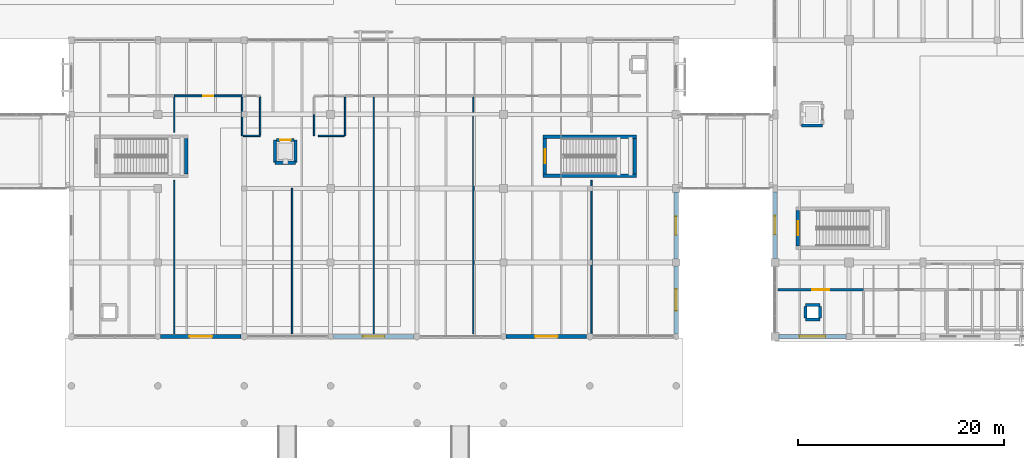
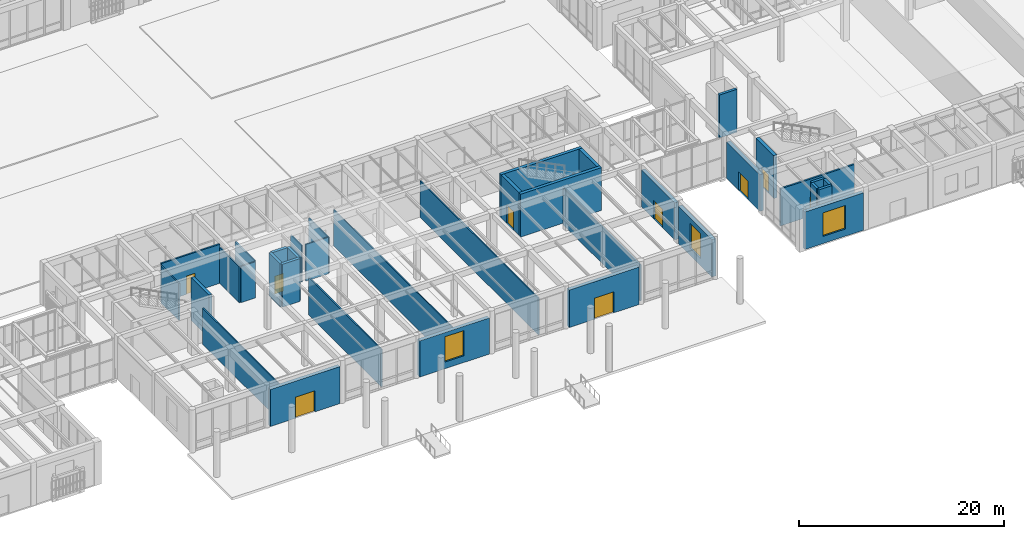
# One storey, part 123 of 169: 36 walls, 9 doors, 3 windows, 12 openings.
"""IFC4 building model written with IfcOpenShell, lengths in metres."""

from ifc_helpers import new_model, si_unit, direction, frame, frame_2d, origin, place, context, subcontext, project, spatial, rectangle, extrude, material, layer, layer_set, type_object, element, fill, save


model = new_model("IFC4")

# Units and contexts
model_context = context("Model", 3, precision=1e-05, world=origin(), true_north=direction((0.0, 1.0)))
body_context = subcontext(model_context, "Body", "Model", "MODEL_VIEW")
ifc_project = project(units=[si_unit("LENGTHUNIT", "METRE"), si_unit("AREAUNIT", "SQUARE_METRE"), si_unit("VOLUMEUNIT", "CUBIC_METRE"), si_unit("PLANEANGLEUNIT", "RADIAN"), si_unit("MASSUNIT", "GRAM", prefix="KILO")], contexts=[model_context])

# Site, building, storey
site_placement = place(None, origin())
site = spatial("IfcSite", under=ifc_project, at=site_placement, CompositionType="ELEMENT")
building_placement = place(site_placement, origin())
building = spatial("IfcBuilding", under=site, at=building_placement, Name="Mazaris Harbour Polytechnic", CompositionType="ELEMENT")
storey_placement = place(building_placement, origin())
storey = spatial("IfcBuildingStorey", under=building, at=storey_placement, Name="L00", CompositionType="ELEMENT", Elevation=0.0)

# Walls
ifc_material_1 = material(Name="Gypsum Board and Mineral Wool")
ifc_layer_1 = layer(ifc_material_1, 0.1201171875, Name="Gypsum Board and Mineral Wool")
ifc_layer_set_1 = layer_set([ifc_layer_1], Name="Gypsum Board and Mineral Wool")
wall_type_1 = type_object("IfcWallType", Name="Acoustic Stud Partition 120", PredefinedType="PARTITIONING", material=ifc_layer_set_1)
wall_1_placement = place(storey_placement, frame((83.39990234375, 7.449951171875, 0.0), z_axis=(0.0, 0.0, 1.0), x_axis=(0.0, 1.0, 0.0)))
element("IfcWall", 1, at=wall_1_placement, inside=storey, type_object=wall_type_1, Name="V3 L00 Partition 202", PredefinedType="PARTITIONING", context=body_context, shape_type="SweptSolid", body=[
    extrude(rectangle(XDim=23.030029296875, YDim=0.1201171875, at=frame_2d((11.51513671875, 0.0))), origin(), (0.0, 0.0, 1.0), 4.300048828125),
])
ifc_material_2 = material(Name="Double Gypsum and Mineral Wool")
ifc_layer_2 = layer(ifc_material_2, 0.14990234375, Name="Double Gypsum and Mineral Wool")
ifc_layer_set_2 = layer_set([ifc_layer_2], Name="Double Gypsum and Mineral Wool")
wall_type_2 = type_object("IfcWallType", Name="Classroom Acoustic Partition 150", PredefinedType="PARTITIONING", material=ifc_layer_set_2)
wall_2_placement = place(storey_placement, frame((75.448974609375, 7.449951171875, 0.0), z_axis=(0.0, 0.0, 1.0), x_axis=(0.0, 1.0, 0.0)))
element("IfcWall", 2, at=wall_2_placement, inside=storey, type_object=wall_type_2, Name="V3 L00 Partition 200", PredefinedType="PARTITIONING", context=body_context, shape_type="SweptSolid", body=[
    extrude(rectangle(XDim=14.14501953125, YDim=0.14990234375, at=frame_2d((7.072509765625, 0.0))), origin(), (0.0, 0.0, 1.0), 4.449951171875),
])
wall_3_placement = place(storey_placement, frame((104.549072265625, 7.449951171875, 0.0), z_axis=(0.0, 0.0, 1.0), x_axis=(0.0, 1.0, 0.0)))
element("IfcWall", 3, at=wall_3_placement, inside=storey, type_object=wall_type_2, Name="V3 L00 Partition 206", PredefinedType="PARTITIONING", context=body_context, shape_type="SweptSolid", body=[
    extrude(rectangle(XDim=14.945068359375, YDim=0.14990234375, at=frame_2d((7.47265625, 0.0))), origin(), (0.0, 0.0, 1.0), 4.300048828125),
])

# Wall, opening, door
ifc_material_3 = material(Name="Terracotta Block and Plaster", Category="masonry")
ifc_layer_3 = layer(ifc_material_3, 0.179931640625, Name="Terracotta Block and Plaster")
ifc_layer_set_3 = layer_set([ifc_layer_3], Name="Terracotta Block and Plaster")
wall_type_3 = type_object("IfcWallType", Name="Corridor Fire Partition 180", PredefinedType="PARTITIONING", material=ifc_layer_set_3)
wall_4_placement = place(storey_placement, frame((64.0048828125, 30.60009765625, 0.0), z_axis=(0.0, 0.0, 1.0), x_axis=(1.0, 0.0, 0.0)))
wall_4 = element("IfcWall", 4, at=wall_4_placement, inside=storey, type_object=wall_type_3, Name="V3 L00 Partition 198", PredefinedType="PARTITIONING", context=body_context, shape_type="SweptSolid", body=[
    extrude(rectangle(XDim=6.590087890625, YDim=0.179931640625, at=frame_2d((3.294921875, 0.0))), origin(), (0.0, 0.0, 1.0), 4.64990234375),
])
opening_1_placement = place(wall_4_placement, frame((2.804931640625, 0.0, 0.0)))
opening_1 = element("IfcOpeningElement", 5, at=opening_1_placement, cuts=wall_4, Name="Opening ID-08L", PredefinedType="OPENING", context=body_context, shape_type="SweptSolid", body=[
    extrude(rectangle(XDim=0.97998046875, YDim=2.179931640625, at=frame_2d((0.489990234375, 1.08984375))), frame((0.0, 0.099853515625, 0.0), z_axis=(0.0, -1.0, 0.0), x_axis=(1.0, 0.0, 0.0)), (0.0, 0.0, 1.0), 0.199951171875),
])
ifc_material_4 = material(Name="Solid Oak Timber", Category="wood")
door_type_1 = type_object("IfcDoorType", Name="Seminar Room Door LH 980x2180", OperationType="SINGLE_SWING_LEFT", PredefinedType="DOOR", material=ifc_material_4)
door_1_placement = place(opening_1_placement, origin())
door_1 = element("IfcDoor", 6, at=door_1_placement, inside=storey, type_object=door_type_1, Name="ID-0091", OperationType="SINGLE_SWING_LEFT", OverallHeight=2.179931640625, OverallWidth=0.97998046875, PredefinedType="DOOR", context=body_context, shape_type="SweptSolid", body=[
    extrude(rectangle(XDim=0.97998046875, YDim=2.179931640625, at=frame_2d((0.489990234375, 1.08984375))), frame((0.0, 0.02490234375, 0.0), z_axis=(0.0, -1.0, 0.0), x_axis=(1.0, 0.0, 0.0)), (0.0, 0.0, 1.0), 0.050048828125),
])
fill(opening_1, door_1)

ifc_material_5 = material(Name="High-Density Masonry and Mineral Wool", Category="masonry")
ifc_layer_4 = layer(ifc_material_5, 0.195068359375, Name="High-Density Masonry and Mineral Wool")
ifc_layer_set_4 = layer_set([ifc_layer_4], Name="High-Density Masonry and Mineral Wool")
wall_type_4 = type_object("IfcWallType", Name="Lecture Theatre Acoustic Wall 195", PredefinedType="PARTITIONING", material=ifc_layer_set_4)
wall_5_placement = place(storey_placement, frame((122.699951171875, 11.75, 0.0), z_axis=(0.0, 0.0, 1.0), x_axis=(1.0, 0.0, 0.0)))
wall_5 = element("IfcWall", 7, at=wall_5_placement, inside=storey, type_object=wall_type_4, Name="V2 L00 Partition 103", PredefinedType="PARTITIONING", context=body_context, shape_type="SweptSolid", body=[
    extrude(rectangle(XDim=8.300048828125, YDim=0.195068359375, at=frame_2d((4.14990234375, 0.0))), origin(), (0.0, 0.0, 1.0), 4.39990234375),
])
opening_2_placement = place(wall_5_placement, frame((3.300048828125, 0.0, 0.0)))
opening_2 = element("IfcOpeningElement", 8, at=opening_2_placement, cuts=wall_5, Name="Opening ID-04D", PredefinedType="OPENING", context=body_context, shape_type="SweptSolid", body=[
    extrude(rectangle(XDim=1.699951171875, YDim=2.25, at=frame_2d((0.85009765625, 1.125))), frame((0.0, 0.107421875, 0.0), z_axis=(0.0, -1.0, 0.0), x_axis=(1.0, 0.0, 0.0)), (0.0, 0.0, 1.0), 0.215087890625),
])
ifc_material_6 = material(Name="Acoustic Oak Timber", Category="wood")
door_type_2 = type_object("IfcDoorType", Name="Lecture Theatre Acoustic Double Door 1700x2250", OperationType="DOUBLE_DOOR_SINGLE_SWING", PredefinedType="DOOR", material=ifc_material_6)
door_2_placement = place(opening_2_placement, origin())
door_2 = element("IfcDoor", 9, at=door_2_placement, inside=storey, type_object=door_type_2, Name="ID-0047", OperationType="DOUBLE_DOOR_SINGLE_SWING", OverallHeight=2.25, OverallWidth=1.699951171875, PredefinedType="DOOR", context=body_context, shape_type="SweptSolid", body=[
    extrude(rectangle(XDim=1.699951171875, YDim=2.25, at=frame_2d((0.85009765625, 1.125))), frame((0.0, 0.02490234375, 0.0), z_axis=(0.0, -1.0, 0.0), x_axis=(1.0, 0.0, 0.0)), (0.0, 0.0, 1.0), 0.050048828125),
])
fill(opening_2, door_2)

# Wall, opening, window
ifc_material_7 = material(Name="Algerian Buff Limestone and Concrete C35/45", Category="masonry")
ifc_layer_5 = layer(ifc_material_7, 0.409912109375, Name="Algerian Buff Limestone and Concrete C35/45")
ifc_layer_set_5 = layer_set([ifc_layer_5], Name="Algerian Buff Limestone and Concrete C35/45")
wall_type_5 = type_object("IfcWallType", Name="Limestone Rusticated Base Wall 410", PredefinedType="STANDARD", material=ifc_layer_set_5)
wall_6_placement = place(storey_placement, frame((129.3330078125, 7.199951171875, 0.0), z_axis=(0.0, 0.0, 1.0), x_axis=(-1.0, 0.0, 0.0)))
wall_6 = element("IfcWall", 10, at=wall_6_placement, inside=storey, type_object=wall_type_5, Name="V2 L00 Exterior Wall 35", PredefinedType="STANDARD", context=body_context, shape_type="SweptSolid", body=[
    extrude(rectangle(XDim=6.56591796875, YDim=0.409912109375, at=frame_2d((3.282958984375, 0.0))), origin(), (0.0, 0.0, 1.0), 4.449951171875),
])
opening_3_placement = place(wall_6_placement, frame((2.032958984375, 0.0, 0.85009765625)))
opening_3 = element("IfcOpeningElement", 11, at=opening_3_placement, cuts=wall_6, Name="Opening WN-18", PredefinedType="OPENING", context=body_context, shape_type="SweptSolid", body=[
    extrude(rectangle(XDim=2.5, YDim=2.800048828125, at=frame_2d((1.25, 1.39990234375))), frame((0.0, 0.21484375, 0.0), z_axis=(0.0, -1.0, 0.0), x_axis=(1.0, 0.0, 0.0)), (0.0, 0.0, 1.0), 0.429931640625),
])
ifc_material_8 = material(Name="Thermally Broken Bronze Aluminium and Low-E Glass", Category="aluminium")
window_type_1 = type_object("IfcWindowType", Name="Pavilion Foyer Window 2500x2800", PartitioningType="DOUBLE_PANEL_VERTICAL", PredefinedType="WINDOW", material=ifc_material_8)
window_1_placement = place(opening_3_placement, origin())
window_1 = element("IfcWindow", 12, at=window_1_placement, inside=storey, type_object=window_type_1, Name="WN-0025", OverallHeight=2.800048828125, OverallWidth=2.5, PartitioningType="DOUBLE_PANEL_VERTICAL", PredefinedType="WINDOW", context=body_context, shape_type="SweptSolid", body=[
    extrude(rectangle(XDim=2.5, YDim=2.800048828125, at=frame_2d((1.25, 1.39990234375))), frame((0.0, 0.030029296875, 0.0), z_axis=(0.0, -1.0, 0.0), x_axis=(1.0, 0.0, 0.0)), (0.0, 0.0, 1.0), 0.06005859375),
])
fill(opening_3, window_1)

# Wall, opening, door
wall_7_placement = place(storey_placement, frame((122.39990234375, 14.7919921875, 0.0), z_axis=(0.0, 0.0, 1.0), x_axis=(0.0, 1.0, 0.0)))
wall_7 = element("IfcWall", 13, at=wall_7_placement, inside=storey, type_object=wall_type_5, Name="V2 L00 Exterior Wall 44", PredefinedType="STANDARD", context=body_context, shape_type="SweptSolid", body=[
    extrude(rectangle(XDim=6.466064453125, YDim=0.409912109375, at=frame_2d((3.23291015625, 0.0))), origin(), (0.0, 0.0, 1.0), 4.35009765625),
])
opening_4_placement = place(wall_7_placement, frame((2.3330078125, 0.0, 0.0)))
opening_4 = element("IfcOpeningElement", 14, at=opening_4_placement, cuts=wall_7, Name="Opening ED-03", PredefinedType="OPENING", context=body_context, shape_type="SweptSolid", body=[
    extrude(rectangle(XDim=1.800048828125, YDim=2.199951171875, at=frame_2d((0.89990234375, 1.10009765625))), frame((0.0, 0.21484375, 0.0), z_axis=(0.0, -1.0, 0.0), x_axis=(1.0, 0.0, 0.0)), (0.0, 0.0, 1.0), 0.429931640625),
])
ifc_material_9 = material(Name="Anodised Bronze Steel and Laminated Safety Glass", Category="steel")
door_type_3 = type_object("IfcDoorType", Name="Perimeter Final Exit Door 1800x2200", OperationType="DOUBLE_DOOR_SINGLE_SWING", PredefinedType="DOOR", material=ifc_material_9)
door_3_placement = place(opening_4_placement, origin())
door_3 = element("IfcDoor", 15, at=door_3_placement, inside=storey, type_object=door_type_3, Name="EXD-010", OperationType="DOUBLE_DOOR_SINGLE_SWING", OverallHeight=2.199951171875, OverallWidth=1.800048828125, PredefinedType="DOOR", context=body_context, shape_type="SweptSolid", body=[
    extrude(rectangle(XDim=1.800048828125, YDim=2.199951171875, at=frame_2d((0.89990234375, 1.10009765625))), frame((0.0, 0.02490234375, 0.0), z_axis=(0.0, -1.0, 0.0), x_axis=(1.0, 0.0, 0.0)), (0.0, 0.0, 1.0), 0.050048828125),
])
fill(opening_4, door_3)

wall_8_placement = place(storey_placement, frame((70.48291015625, 7.199951171875, 0.0), z_axis=(0.0, 0.0, 1.0), x_axis=(-1.0, 0.0, 0.0)))
wall_8 = element("IfcWall", 16, at=wall_8_placement, inside=storey, type_object=wall_type_5, Name="V3 L00 Exterior Wall 96", PredefinedType="STANDARD", context=body_context, shape_type="SweptSolid", body=[
    extrude(rectangle(XDim=7.81591796875, YDim=0.409912109375, at=frame_2d((3.907958984375, 0.0))), origin(), (0.0, 0.0, 1.0), 4.39990234375),
])
opening_5_placement = place(wall_8_placement, frame((2.80810546875, 0.0, 0.0)))
opening_5 = element("IfcOpeningElement", 17, at=opening_5_placement, cuts=wall_8, Name="Opening ED-01", PredefinedType="OPENING", context=body_context, shape_type="SweptSolid", body=[
    extrude(rectangle(XDim=2.199951171875, YDim=2.5, at=frame_2d((1.10009765625, 1.25))), frame((0.0, 0.21484375, 0.0), z_axis=(0.0, -1.0, 0.0), x_axis=(1.0, 0.0, 0.0)), (0.0, 0.0, 1.0), 0.429931640625),
])
ifc_material_10 = material(Name="Anodised Bronze Steel and Laminated Safety Glass", Category="steel")
door_type_4 = type_object("IfcDoorType", Name="Main Harbour Double Entrance Door 2200x2500", OperationType="DOUBLE_DOOR_SINGLE_SWING", PredefinedType="DOOR", material=ifc_material_10)
door_4_placement = place(opening_5_placement, origin())
door_4 = element("IfcDoor", 18, at=door_4_placement, inside=storey, type_object=door_type_4, Name="EXD-014", OperationType="DOUBLE_DOOR_SINGLE_SWING", OverallHeight=2.5, OverallWidth=2.199951171875, PredefinedType="DOOR", context=body_context, shape_type="SweptSolid", body=[
    extrude(rectangle(XDim=2.199951171875, YDim=2.5, at=frame_2d((1.10009765625, 1.25))), frame((0.0, 0.02490234375, 0.0), z_axis=(0.0, -1.0, 0.0), x_axis=(1.0, 0.0, 0.0)), (0.0, 0.0, 1.0), 0.050048828125),
])
fill(opening_5, door_4)

# Wall, opening, window
wall_9_placement = place(storey_placement, frame((87.282958984375, 7.199951171875, 0.0), z_axis=(0.0, 0.0, 1.0), x_axis=(-1.0, 0.0, 0.0)))
wall_9 = element("IfcWall", 19, at=wall_9_placement, inside=storey, type_object=wall_type_5, Name="V3 L00 Exterior Wall 97", PredefinedType="STANDARD", context=body_context, shape_type="SweptSolid", body=[
    extrude(rectangle(XDim=7.81591796875, YDim=0.409912109375, at=frame_2d((3.907958984375, 0.0))), origin(), (0.0, 0.0, 1.0), 4.300048828125),
])
opening_6_placement = place(wall_9_placement, frame((2.85791015625, 0.0, 0.800048828125)))
opening_6 = element("IfcOpeningElement", 20, at=opening_6_placement, cuts=wall_9, Name="Opening WN-05", PredefinedType="OPENING", context=body_context, shape_type="SweptSolid", body=[
    extrude(rectangle(XDim=2.10009765625, YDim=3.0, at=frame_2d((1.050048828125, 1.5))), frame((0.0, 0.21484375, 0.0), z_axis=(0.0, -1.0, 0.0), x_axis=(1.0, 0.0, 0.0)), (0.0, 0.0, 1.0), 0.429931640625),
])
ifc_material_11 = material(Name="Thermally Broken Bronze Aluminium and Low-E Glass", Category="aluminium")
window_type_2 = type_object("IfcWindowType", Name="Podium Arch-Head Window 2100x3000", PartitioningType="DOUBLE_PANEL_VERTICAL", PredefinedType="WINDOW", material=ifc_material_11)
window_2_placement = place(opening_6_placement, origin())
window_2 = element("IfcWindow", 21, at=window_2_placement, inside=storey, type_object=window_type_2, Name="WN-0109", OverallHeight=3.0, OverallWidth=2.10009765625, PartitioningType="DOUBLE_PANEL_VERTICAL", PredefinedType="WINDOW", context=body_context, shape_type="SweptSolid", body=[
    extrude(rectangle(XDim=2.10009765625, YDim=3.0, at=frame_2d((1.050048828125, 1.5))), frame((0.0, 0.030029296875, 0.0), z_axis=(0.0, -1.0, 0.0), x_axis=(1.0, 0.0, 0.0)), (0.0, 0.0, 1.0), 0.06005859375),
])
fill(opening_6, window_2)

# Wall, opening, door
wall_10_placement = place(storey_placement, frame((104.0830078125, 7.199951171875, 0.0), z_axis=(0.0, 0.0, 1.0), x_axis=(-1.0, 0.0, 0.0)))
wall_10 = element("IfcWall", 22, at=wall_10_placement, inside=storey, type_object=wall_type_5, Name="V3 L00 Exterior Wall 98", PredefinedType="STANDARD", context=body_context, shape_type="SweptSolid", body=[
    extrude(rectangle(XDim=7.81591796875, YDim=0.409912109375, at=frame_2d((3.907958984375, 0.0))), origin(), (0.0, 0.0, 1.0), 4.449951171875),
])
opening_7_placement = place(wall_10_placement, frame((2.80810546875, 0.0, 0.0)))
opening_7 = element("IfcOpeningElement", 23, at=opening_7_placement, cuts=wall_10, Name="Opening ED-01", PredefinedType="OPENING", context=body_context, shape_type="SweptSolid", body=[
    extrude(rectangle(XDim=2.199951171875, YDim=2.5, at=frame_2d((1.10009765625, 1.25))), frame((0.0, 0.21484375, 0.0), z_axis=(0.0, -1.0, 0.0), x_axis=(1.0, 0.0, 0.0)), (0.0, 0.0, 1.0), 0.429931640625),
])
door_5_placement = place(opening_7_placement, origin())
door_5 = element("IfcDoor", 24, at=door_5_placement, inside=storey, type_object=door_type_4, Name="EXD-015", OperationType="DOUBLE_DOOR_SINGLE_SWING", OverallHeight=2.5, OverallWidth=2.199951171875, PredefinedType="DOOR", context=body_context, shape_type="SweptSolid", body=[
    extrude(rectangle(XDim=2.199951171875, YDim=2.5, at=frame_2d((1.10009765625, 1.25))), frame((0.0, 0.02490234375, 0.0), z_axis=(0.0, -1.0, 0.0), x_axis=(1.0, 0.0, 0.0)), (0.0, 0.0, 1.0), 0.050048828125),
])
fill(opening_7, door_5)

# Wall, opening, window
wall_11_placement = place(storey_placement, frame((112.800048828125, 14.05810546875, 0.0), z_axis=(0.0, 0.0, 1.0), x_axis=(0.0, -1.0, 0.0)))
wall_11 = element("IfcWall", 25, at=wall_11_placement, inside=storey, type_object=wall_type_5, Name="V3 L00 Exterior Wall 105", PredefinedType="STANDARD", context=body_context, shape_type="SweptSolid", body=[
    extrude(rectangle(XDim=6.591064453125, YDim=0.409912109375, at=frame_2d((3.29541015625, 0.0))), origin(), (0.0, 0.0, 1.0), 4.449951171875),
])
opening_8_placement = place(wall_11_placement, frame((2.24560546875, 0.0, 0.800048828125)))
opening_8 = element("IfcOpeningElement", 26, at=opening_8_placement, cuts=wall_11, Name="Opening WN-05", PredefinedType="OPENING", context=body_context, shape_type="SweptSolid", body=[
    extrude(rectangle(XDim=2.10009765625, YDim=3.0, at=frame_2d((1.050048828125, 1.5))), frame((0.0, 0.21484375, 0.0), z_axis=(0.0, -1.0, 0.0), x_axis=(1.0, 0.0, 0.0)), (0.0, 0.0, 1.0), 0.429931640625),
])
window_3_placement = place(opening_8_placement, origin())
window_3 = element("IfcWindow", 27, at=window_3_placement, inside=storey, type_object=window_type_2, Name="WN-0113", OverallHeight=3.0, OverallWidth=2.10009765625, PartitioningType="DOUBLE_PANEL_VERTICAL", PredefinedType="WINDOW", context=body_context, shape_type="SweptSolid", body=[
    extrude(rectangle(XDim=2.10009765625, YDim=3.0, at=frame_2d((1.050048828125, 1.5))), frame((0.0, 0.030029296875, 0.0), z_axis=(0.0, -1.0, 0.0), x_axis=(1.0, 0.0, 0.0)), (0.0, 0.0, 1.0), 0.06005859375),
])
fill(opening_8, window_3)

# Wall, opening, door
wall_12_placement = place(storey_placement, frame((112.800048828125, 21.23291015625, 0.0), z_axis=(0.0, 0.0, 1.0), x_axis=(0.0, -1.0, 0.0)))
wall_12 = element("IfcWall", 28, at=wall_12_placement, inside=storey, type_object=wall_type_5, Name="V3 L00 Exterior Wall 106", PredefinedType="STANDARD", context=body_context, shape_type="SweptSolid", body=[
    extrude(rectangle(XDim=6.490966796875, YDim=0.409912109375, at=frame_2d((3.24560546875, 0.0))), origin(), (0.0, 0.0, 1.0), 4.39990234375),
])
opening_9_placement = place(wall_12_placement, frame((2.345458984375, 0.0, 0.0)))
opening_9 = element("IfcOpeningElement", 29, at=opening_9_placement, cuts=wall_12, Name="Opening ED-03", PredefinedType="OPENING", context=body_context, shape_type="SweptSolid", body=[
    extrude(rectangle(XDim=1.800048828125, YDim=2.199951171875, at=frame_2d((0.89990234375, 1.10009765625))), frame((0.0, 0.21484375, 0.0), z_axis=(0.0, -1.0, 0.0), x_axis=(1.0, 0.0, 0.0)), (0.0, 0.0, 1.0), 0.429931640625),
])
door_6_placement = place(opening_9_placement, origin())
door_6 = element("IfcDoor", 30, at=door_6_placement, inside=storey, type_object=door_type_3, Name="EXD-019", OperationType="DOUBLE_DOOR_SINGLE_SWING", OverallHeight=2.199951171875, OverallWidth=1.800048828125, PredefinedType="DOOR", context=body_context, shape_type="SweptSolid", body=[
    extrude(rectangle(XDim=1.800048828125, YDim=2.199951171875, at=frame_2d((0.89990234375, 1.10009765625))), frame((0.0, 0.02490234375, 0.0), z_axis=(0.0, -1.0, 0.0), x_axis=(1.0, 0.0, 0.0)), (0.0, 0.0, 1.0), 0.050048828125),
])
fill(opening_9, door_6)

# Walls
ifc_material_12 = material(Name="Concrete C40/50", Category="concrete")
ifc_layer_6 = layer(ifc_material_12, 0.35009765625, Name="Concrete C40/50")
ifc_layer_set_6 = layer_set([ifc_layer_6], Name="Concrete C40/50")
wall_type_6 = type_object("IfcWallType", Name="RC Core Shear Wall 350", PredefinedType="SHEAR", material=ifc_layer_set_6)
wall_13_placement = place(storey_placement, frame((65.175048828125, 23.0, 0.0), z_axis=(0.0, 0.0, 1.0), x_axis=(0.0, 1.0, 0.0)))
element("IfcWall", 31, at=wall_13_placement, inside=storey, type_object=wall_type_6, Name="Core ST05 L00 Shear Wall E", PredefinedType="SHEAR", context=body_context, shape_type="SweptSolid", body=[
    extrude(rectangle(XDim=3.449951171875, YDim=0.35009765625, at=frame_2d((1.72509765625, 0.0))), origin(), (0.0, 0.0, 1.0), 5.10009765625),
])
for number, where, z_axis, x_axis, name in (
    (32, (99.85009765625, 22.824951171875, 0.0), (0.0, 0.0, 1.0), (1.0, 0.0, 0.0), "Core ST06 L00 Shear Wall S"),
    (33, (108.949951171875, 26.625, 0.0), (0.0, 0.0, 1.0), (-1.0, 0.0, 0.0), "Core ST06 L00 Shear Wall N"),
):
    element("IfcWall", number, at=place(storey_placement, frame(where, z_axis=z_axis, x_axis=x_axis)), inside=storey, type_object=wall_type_6, Name=name, PredefinedType="SHEAR", context=body_context, shape_type="SweptSolid", body=[
        extrude(rectangle(XDim=9.099853515625, YDim=0.35009765625, at=frame_2d((4.5498046875, 0.0))), origin(), (0.0, 0.0, 1.0), 5.10009765625),
    ])
wall_14_placement = place(storey_placement, frame((108.77490234375, 23.0, 0.0), z_axis=(0.0, 0.0, 1.0), x_axis=(0.0, 1.0, 0.0)))
element("IfcWall", 34, at=wall_14_placement, inside=storey, type_object=wall_type_6, Name="Core ST06 L00 Shear Wall E", PredefinedType="SHEAR", context=body_context, shape_type="SweptSolid", body=[
    extrude(rectangle(XDim=3.449951171875, YDim=0.35009765625, at=frame_2d((1.72509765625, 0.0))), origin(), (0.0, 0.0, 1.0), 5.10009765625),
])

# Wall, opening, door
wall_15_placement = place(storey_placement, frame((124.625, 19.449951171875, 0.0), z_axis=(0.0, 0.0, 1.0), x_axis=(0.0, -1.0, 0.0)))
wall_15 = element("IfcWall", 35, at=wall_15_placement, inside=storey, type_object=wall_type_6, Name="Core ST03 L00 Entrance Shear Wall", PredefinedType="SHEAR", context=body_context, shape_type="SweptSolid", body=[
    extrude(rectangle(XDim=3.449951171875, YDim=0.35009765625, at=frame_2d((1.72509765625, 0.0))), origin(), (0.0, 0.0, 1.0), 5.10009765625),
])
opening_10_placement = place(wall_15_placement, frame((1.034912109375, 0.0, 0.0)))
opening_10 = element("IfcOpeningElement", 36, at=opening_10_placement, cuts=wall_15, Name="Opening SD-01", PredefinedType="OPENING", context=body_context, shape_type="SweptSolid", body=[
    extrude(rectangle(XDim=1.3798828125, YDim=2.199951171875, at=frame_2d((0.68994140625, 1.10009765625))), frame((0.0, 0.18505859375, 0.0), z_axis=(0.0, -1.0, 0.0), x_axis=(1.0, 0.0, 0.0)), (0.0, 0.0, 1.0), 0.3701171875),
])
ifc_material_13 = material(Name="Glulam Timber and Fire Glass", Category="wood")
door_type_5 = type_object("IfcDoorType", Name="Protected Stair Lobby Fire Door 1380x2200", OperationType="DOUBLE_DOOR_SINGLE_SWING", PredefinedType="DOOR", material=ifc_material_13)
door_7_placement = place(opening_10_placement, origin())
door_7 = element("IfcDoor", 37, at=door_7_placement, inside=storey, type_object=door_type_5, Name="SD-010", OperationType="DOUBLE_DOOR_SINGLE_SWING", OverallHeight=2.199951171875, OverallWidth=1.3798828125, PredefinedType="DOOR", context=body_context, shape_type="SweptSolid", body=[
    extrude(rectangle(XDim=1.3798828125, YDim=2.199951171875, at=frame_2d((0.68994140625, 1.10009765625))), frame((0.0, 0.02490234375, 0.0), z_axis=(0.0, -1.0, 0.0), x_axis=(1.0, 0.0, 0.0)), (0.0, 0.0, 1.0), 0.050048828125),
])
fill(opening_10, door_7)

wall_16_placement = place(storey_placement, frame((100.02490234375, 26.449951171875, 0.0), z_axis=(0.0, 0.0, 1.0), x_axis=(0.0, -1.0, 0.0)))
wall_16 = element("IfcWall", 38, at=wall_16_placement, inside=storey, type_object=wall_type_6, Name="Core ST06 L00 Entrance Shear Wall", PredefinedType="SHEAR", context=body_context, shape_type="SweptSolid", body=[
    extrude(rectangle(XDim=3.449951171875, YDim=0.35009765625, at=frame_2d((1.72509765625, 0.0))), origin(), (0.0, 0.0, 1.0), 5.10009765625),
])
opening_11_placement = place(wall_16_placement, frame((1.034912109375, 0.0, 0.0)))
opening_11 = element("IfcOpeningElement", 39, at=opening_11_placement, cuts=wall_16, Name="Opening SD-01", PredefinedType="OPENING", context=body_context, shape_type="SweptSolid", body=[
    extrude(rectangle(XDim=1.3798828125, YDim=2.199951171875, at=frame_2d((0.68994140625, 1.10009765625))), frame((0.0, 0.18505859375, 0.0), z_axis=(0.0, -1.0, 0.0), x_axis=(1.0, 0.0, 0.0)), (0.0, 0.0, 1.0), 0.3701171875),
])
door_8_placement = place(opening_11_placement, origin())
door_8 = element("IfcDoor", 40, at=door_8_placement, inside=storey, type_object=door_type_5, Name="SD-025", OperationType="DOUBLE_DOOR_SINGLE_SWING", OverallHeight=2.199951171875, OverallWidth=1.3798828125, PredefinedType="DOOR", context=body_context, shape_type="SweptSolid", body=[
    extrude(rectangle(XDim=1.3798828125, YDim=2.199951171875, at=frame_2d((0.68994140625, 1.10009765625))), frame((0.0, 0.02490234375, 0.0), z_axis=(0.0, -1.0, 0.0), x_axis=(1.0, 0.0, 0.0)), (0.0, 0.0, 1.0), 0.050048828125),
])
fill(opening_11, door_8)

# Walls
ifc_material_14 = material(Name="Concrete C40/50", Category="concrete")
ifc_layer_7 = layer(ifc_material_14, 0.300048828125, Name="Concrete C40/50")
ifc_layer_set_7 = layer_set([ifc_layer_7], Name="Concrete C40/50")
wall_type_7 = type_object("IfcWallType", Name="RC Lift Shaft Wall 300", PredefinedType="SHEAR", material=ifc_layer_set_7)
wall_17_placement = place(storey_placement, frame((125.35009765625, 8.85009765625, 0.0), z_axis=(0.0, 0.0, 1.0), x_axis=(1.0, 0.0, 0.0)))
element("IfcWall", 41, at=wall_17_placement, inside=storey, type_object=wall_type_7, Name="V2 L00 Riser Enclosure Wall 1-1", PredefinedType="SHEAR", context=body_context, shape_type="SweptSolid", body=[
    extrude(rectangle(XDim=1.419921875, YDim=0.300048828125, at=frame_2d((0.7099609375, 0.0))), origin(), (0.0, 0.0, 1.0), 5.159912109375),
])
wall_18_placement = place(storey_placement, frame((126.77001953125, 9.010009765625, 0.0), z_axis=(0.0, 0.0, 1.0), x_axis=(0.0, 1.0, 0.0)))
element("IfcWall", 42, at=wall_18_placement, inside=storey, type_object=wall_type_7, Name="V2 L00 Riser Enclosure Wall 1-2", PredefinedType="SHEAR", context=body_context, shape_type="SweptSolid", body=[
    extrude(rectangle(XDim=1.10009765625, YDim=0.300048828125, at=frame_2d((0.550048828125, 0.0))), origin(), (0.0, 0.0, 1.0), 5.159912109375),
])
wall_19_placement = place(storey_placement, frame((126.77001953125, 10.27001953125, 0.0), z_axis=(0.0, 0.0, 1.0), x_axis=(-1.0, 0.0, 0.0)))
element("IfcWall", 43, at=wall_19_placement, inside=storey, type_object=wall_type_7, Name="V2 L00 Riser Enclosure Wall 1-3", PredefinedType="SHEAR", context=body_context, shape_type="SweptSolid", body=[
    extrude(rectangle(XDim=1.419921875, YDim=0.300048828125, at=frame_2d((0.7099609375, 0.0))), origin(), (0.0, 0.0, 1.0), 5.159912109375),
])
wall_20_placement = place(storey_placement, frame((125.35009765625, 10.110107421875, 0.0), z_axis=(0.0, 0.0, 1.0), x_axis=(0.0, -1.0, 0.0)))
element("IfcWall", 44, at=wall_20_placement, inside=storey, type_object=wall_type_7, Name="V2 L00 Riser Enclosure Wall 1-4", PredefinedType="SHEAR", context=body_context, shape_type="SweptSolid", body=[
    extrude(rectangle(XDim=1.10009765625, YDim=0.300048828125, at=frame_2d((0.550048828125, 0.0))), origin(), (0.0, 0.0, 1.0), 5.159912109375),
])
for number, where, z_axis, x_axis, name in (
    (45, (125.0, 27.699951171875, 0.0), (0.0, 0.0, 1.0), (1.0, 0.0, 0.0), "Lift LP-02 L00 South Shaft Wall"),
    (46, (73.800048828125, 24.10009765625, 0.0), (0.0, 0.0, 1.0), (1.0, 0.0, 0.0), "Lift LP-03 L00 South Shaft Wall"),
):
    element("IfcWall", number, at=place(storey_placement, frame(where, z_axis=z_axis, x_axis=x_axis)), inside=storey, type_object=wall_type_7, Name=name, PredefinedType="SHEAR", context=body_context, shape_type="SweptSolid", body=[
        extrude(rectangle(XDim=2.0, YDim=0.300048828125, at=frame_2d((1.0, 0.0))), origin(), (0.0, 0.0, 1.0), 5.10009765625),
    ])
for number, where, z_axis, x_axis, name in (
    (47, (73.800048828125, 26.300048828125, 0.0), (0.0, 0.0, 1.0), (0.0, -1.0, 0.0), "Lift LP-03 L00 West Shaft Wall"),
    (48, (75.800048828125, 24.10009765625, 0.0), (0.0, 0.0, 1.0), (0.0, 1.0, 0.0), "Lift LP-03 L00 East Shaft Wall"),
):
    element("IfcWall", number, at=place(storey_placement, frame(where, z_axis=z_axis, x_axis=x_axis)), inside=storey, type_object=wall_type_7, Name=name, PredefinedType="SHEAR", context=body_context, shape_type="SweptSolid", body=[
        extrude(rectangle(XDim=2.199951171875, YDim=0.300048828125, at=frame_2d((1.10009765625, 0.0))), origin(), (0.0, 0.0, 1.0), 5.10009765625),
    ])

# Wall, opening, door
wall_21_placement = place(storey_placement, frame((73.93994140625, 26.300048828125, 0.0), z_axis=(0.0, 0.0, 1.0), x_axis=(1.0, 0.0, 0.0)))
wall_21 = element("IfcWall", 49, at=wall_21_placement, inside=storey, type_object=wall_type_7, Name="Lift LP-03 L00 Front Shaft Wall", PredefinedType="SHEAR", context=body_context, shape_type="SweptSolid", body=[
    extrude(rectangle(XDim=1.719970703125, YDim=0.300048828125, at=frame_2d((0.85986328125, 0.0))), origin(), (0.0, 0.0, 1.0), 5.10009765625),
])
opening_12_placement = place(wall_21_placement, frame((0.360107421875, 0.0, 0.0)))
opening_12 = element("IfcOpeningElement", 50, at=opening_12_placement, cuts=wall_21, Name="Opening LD-01", PredefinedType="OPENING", context=body_context, shape_type="SweptSolid", body=[
    extrude(rectangle(XDim=1.0, YDim=2.10009765625, at=frame_2d((0.5, 1.050048828125))), frame((0.0, 0.159912109375, 0.0), z_axis=(0.0, -1.0, 0.0), x_axis=(1.0, 0.0, 0.0)), (0.0, 0.0, 1.0), 0.320068359375),
])
ifc_material_15 = material(Name="Stainless Steel S355", Category="steel")
door_type_6 = type_object("IfcDoorType", Name="Sliding Passenger Lift Landing Door 1000x2100", OperationType="SLIDING_TO_LEFT", PredefinedType="DOOR", material=ifc_material_15)
door_9_placement = place(opening_12_placement, origin())
door_9 = element("IfcDoor", 51, at=door_9_placement, inside=storey, type_object=door_type_6, Name="LD-026", OperationType="SLIDING_TO_LEFT", OverallHeight=2.10009765625, OverallWidth=1.0, PredefinedType="DOOR", context=body_context, shape_type="SweptSolid", body=[
    extrude(rectangle(XDim=1.0, YDim=2.10009765625, at=frame_2d((0.5, 1.050048828125))), frame((0.0, 0.02490234375, 0.0), z_axis=(0.0, -1.0, 0.0), x_axis=(1.0, 0.0, 0.0)), (0.0, 0.0, 1.0), 0.050048828125),
])
fill(opening_12, door_9)

# Walls
ifc_material_16 = material(Name="Moisture-Resistant Gypsum and Steel Stud", Category="steel")
ifc_layer_8 = layer(ifc_material_16, 0.14501953125, Name="Moisture-Resistant Gypsum and Steel Stud")
ifc_layer_set_8 = layer_set([ifc_layer_8], Name="Moisture-Resistant Gypsum and Steel Stud")
wall_type_8 = type_object("IfcWallType", Name="Sanitary Plumbing Wall 145", PredefinedType="PLUMBINGWALL", material=ifc_layer_set_8)
for number, where, z_axis, x_axis, name in (
    (52, (70.60009765625, 26.699951171875, 0.0), (0.0, 0.0, 1.0), (0.0, 1.0, 0.0), "V3 L00 Partition 191"),
    (53, (80.60009765625, 26.699951171875, 0.0), (0.0, 0.0, 1.0), (0.0, 1.0, 0.0), "V3 L00 Partition 194"),
):
    element("IfcWall", number, at=place(storey_placement, frame(where, z_axis=z_axis, x_axis=x_axis)), inside=storey, type_object=wall_type_8, Name=name, PredefinedType="PLUMBINGWALL", context=body_context, shape_type="SweptSolid", body=[
        extrude(rectangle(XDim=3.780029296875, YDim=0.14501953125, at=frame_2d((1.89013671875, 0.0))), origin(), (0.0, 0.0, 1.0), 4.300048828125),
    ])
wall_22_placement = place(storey_placement, frame((78.0048828125, 26.699951171875, 0.0), z_axis=(0.0, 0.0, 1.0), x_axis=(1.0, 0.0, 0.0)))
element("IfcWall", 54, at=wall_22_placement, inside=storey, type_object=wall_type_8, Name="V3 L00 Partition 195", PredefinedType="PLUMBINGWALL", context=body_context, shape_type="SweptSolid", body=[
    extrude(rectangle(XDim=2.5126953125, YDim=0.14501953125, at=frame_2d((1.25634765625, 0.0))), origin(), (0.0, 0.0, 1.0), 4.35009765625),
])
wall_23_placement = place(storey_placement, frame((70.6826171875, 26.705078125, 0.0), z_axis=(0.0, 0.0, 1.0), x_axis=(1.0, 0.0, 0.0)))
element("IfcWall", 55, at=wall_23_placement, inside=storey, type_object=wall_type_8, Name="V3 L00 Sanitary Partition 719", PredefinedType="PLUMBINGWALL", context=body_context, shape_type="SweptSolid", body=[
    extrude(rectangle(XDim=1.67236328125, YDim=0.14501953125, at=frame_2d((0.836181640625, 0.0))), origin(), (0.0, 0.0, 1.0), 4.300048828125),
])
wall_24_placement = place(storey_placement, frame((72.35498046875, 26.78759765625, 0.0), z_axis=(0.0, 0.0, 1.0), x_axis=(0.0, 1.0, 0.0)))
element("IfcWall", 56, at=wall_24_placement, inside=storey, type_object=wall_type_8, Name="V3 L00 Sanitary Partition 720", PredefinedType="PLUMBINGWALL", context=body_context, shape_type="SweptSolid", body=[
    extrude(rectangle(XDim=3.72998046875, YDim=0.14501953125, at=frame_2d((1.864990234375, 0.0))), origin(), (0.0, 0.0, 1.0), 4.35009765625),
])
wall_25_placement = place(storey_placement, frame((77.60498046875, 26.705078125, 0.0), z_axis=(0.0, 0.0, 1.0), x_axis=(0.0, 1.0, 0.0)))
element("IfcWall", 57, at=wall_25_placement, inside=storey, type_object=wall_type_8, Name="V3 L00 Sanitary Partition 721", PredefinedType="PLUMBINGWALL", context=body_context, shape_type="SweptSolid", body=[
    extrude(rectangle(XDim=2.099853515625, YDim=0.14501953125, at=frame_2d((1.0498046875, 0.0))), origin(), (0.0, 0.0, 1.0), 4.35009765625),
])
ifc_material_17 = material(Name="Gypsum Board and Mineral Wool")
ifc_layer_9 = layer(ifc_material_17, 0.135009765625, Name="Gypsum Board and Mineral Wool")
ifc_layer_set_9 = layer_set([ifc_layer_9], Name="Gypsum Board and Mineral Wool")
wall_type_9 = type_object("IfcWallType", Name="Studio Partition Wall 135", PredefinedType="PARTITIONING", material=ifc_layer_set_9)
wall_26_placement = place(storey_placement, frame((64.0, 27.054931640625, 0.0), z_axis=(0.0, 0.0, 1.0), x_axis=(0.0, 1.0, 0.0)))
element("IfcWall", 58, at=wall_26_placement, inside=storey, type_object=wall_type_9, Name="V3 L00 Partition 197", PredefinedType="PARTITIONING", context=body_context, shape_type="SweptSolid", body=[
    extrude(rectangle(XDim=3.425048828125, YDim=0.135009765625, at=frame_2d((1.71240234375, 0.0))), origin(), (0.0, 0.0, 1.0), 4.39990234375),
])
wall_27_placement = place(storey_placement, frame((64.0, 7.449951171875, 0.0), z_axis=(0.0, 0.0, 1.0), x_axis=(0.0, 1.0, 0.0)))
element("IfcWall", 59, at=wall_27_placement, inside=storey, type_object=wall_type_9, Name="V3 L00 Partition 199", PredefinedType="PARTITIONING", context=body_context, shape_type="SweptSolid", body=[
    extrude(rectangle(XDim=14.945068359375, YDim=0.135009765625, at=frame_2d((7.47265625, 0.0))), origin(), (0.0, 0.0, 1.0), 4.300048828125),
])
wall_28_placement = place(storey_placement, frame((93.10009765625, 7.449951171875, 0.0), z_axis=(0.0, 0.0, 1.0), x_axis=(0.0, 1.0, 0.0)))
element("IfcWall", 60, at=wall_28_placement, inside=storey, type_object=wall_type_9, Name="V3 L00 Partition 204", PredefinedType="PARTITIONING", context=body_context, shape_type="SweptSolid", body=[
    extrude(rectangle(XDim=23.030029296875, YDim=0.135009765625, at=frame_2d((11.51513671875, 0.0))), origin(), (0.0, 0.0, 1.0), 4.35009765625),
])

save(model, "model.ifc")
